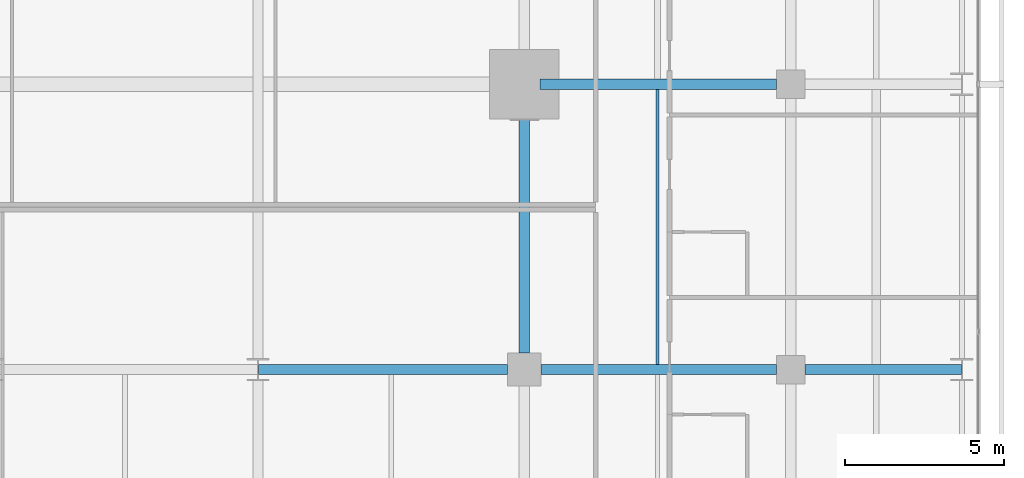
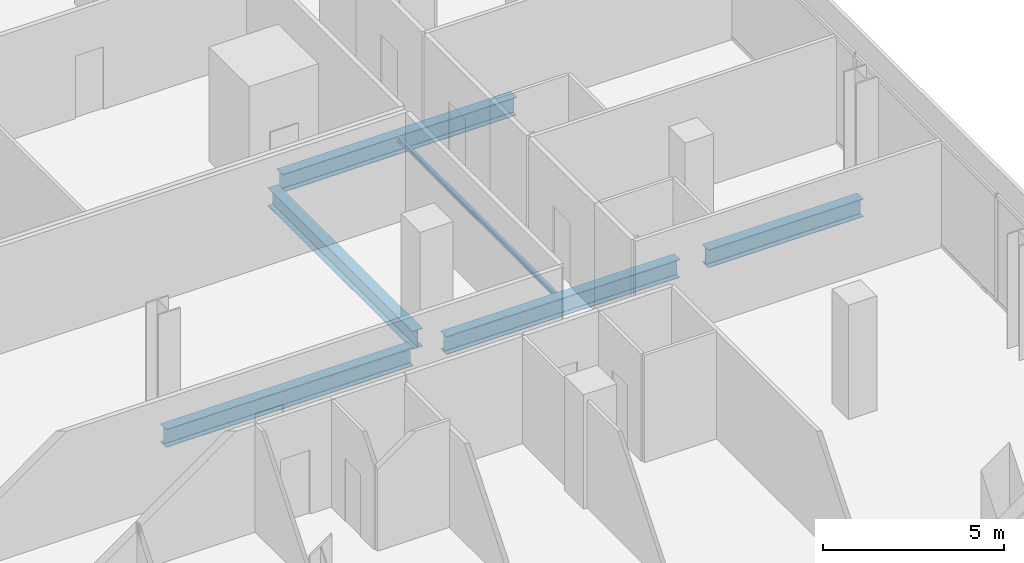
# One storey, part 18 of 40: 6 beams.
"""IFC4 building model written with IfcOpenShell, lengths in metres."""

import ifcopenshell
import ifcopenshell.guid

model = None  # the IFC model being written
_history = None  # IfcOwnerHistory: only IFC2X3 demands one
_inside = {}  # id of a spatial element -> (the spatial element, [elements in it])
_under = {}  # id of a project, library or spatial element -> (it, [spatial elements below it])
_declared = {}  # id of a project -> (the project, [libraries it declares])
_typed = {}  # id of a type object -> (the type object, [elements of that type])
_made_of = {}  # id of a material, layer set ... -> (it, [elements and type objects made of it])


def new_model(schema):
    """Start an empty IFC model of exactly this schema.

    Asked for "IFC4X3", IfcOpenShell would pick the latest addendum, in which some entities
    have other attributes; the version numbers below select the first issue.
    IFC2X3 requires an IfcOwnerHistory on every rooted entity: one is made here for all.
    """
    global model, _history
    if schema == "IFC4X3":
        model = ifcopenshell.file(schema_version=(4, 3, 0, 0))
    else:
        model = ifcopenshell.file(schema=schema)
    _inside.clear()
    _under.clear()
    _declared.clear()
    _typed.clear()
    _made_of.clear()
    _history = None
    if model.schema == "IFC2X3":
        org = make("IfcOrganization", Name="unknown")
        user = make(
            "IfcPersonAndOrganization",
            ThePerson=make("IfcPerson", FamilyName="unknown"),
            TheOrganization=org,
        )
        app = make(
            "IfcApplication",
            ApplicationDeveloper=org,
            Version="unknown",
            ApplicationFullName="unknown",
            ApplicationIdentifier="unknown",
        )
        _history = make(
            "IfcOwnerHistory",
            OwningUser=user,
            OwningApplication=app,
            ChangeAction="ADDED",
            CreationDate=0,
        )
    return model


def make(cls, **values):
    """One entity of the class cls with the attributes given. An attribute that is None is left unset."""
    return model.create_entity(
        cls, **{name: value for name, value in values.items() if value is not None}
    )


def rooted(cls, **values):
    """An entity with a GlobalId (a new one), such as an element, a storey or a relation."""
    return make(cls, GlobalId=ifcopenshell.guid.new(), OwnerHistory=_history, **values)


def si_unit(unit_type, name, prefix=None):
    """IfcSIUnit, for example si_unit("LENGTHUNIT", "METRE", prefix="MILLI")."""
    return make("IfcSIUnit", UnitType=unit_type, Prefix=prefix, Name=name)


def assignment(units):
    """IfcUnitAssignment: the units of a project."""
    return None if units is None else make("IfcUnitAssignment", Units=units)


def point(xyz):
    """IfcCartesianPoint."""
    return None if xyz is None else make("IfcCartesianPoint", Coordinates=xyz)


def direction(xyz):
    """IfcDirection."""
    return None if xyz is None else make("IfcDirection", DirectionRatios=xyz)


def frame(location, z_axis=None, x_axis=None):
    """IfcAxis2Placement3D, a coordinate frame: its origin and axes. An axis left out is left unset."""
    return make(
        "IfcAxis2Placement3D",
        Location=point(location),
        Axis=direction(z_axis),
        RefDirection=direction(x_axis),
    )


def frame_2d(location, x_axis=None):
    """IfcAxis2Placement2D, a coordinate frame in the plane: its origin and x axis."""
    return make(
        "IfcAxis2Placement2D", Location=point(location), RefDirection=direction(x_axis)
    )


def origin():
    """The frame at (0, 0, 0) with its axes left unset."""
    return frame((0.0, 0.0, 0.0))


def origin_2d():
    """The frame at (0, 0) in the plane with its x axis left unset."""
    return frame_2d((0.0, 0.0))


def place(relative_to, where):
    """IfcLocalPlacement: puts the frame where relative to a parent placement (None: the world)."""
    return make(
        "IfcLocalPlacement", PlacementRelTo=relative_to, RelativePlacement=where
    )


def context(
    kind, dimensions, precision=None, world=None, true_north=None, identifier=None
):
    """IfcGeometricRepresentationContext, for example the 3D "Model" context."""
    return make(
        "IfcGeometricRepresentationContext",
        ContextIdentifier=identifier,
        ContextType=kind,
        CoordinateSpaceDimension=dimensions,
        Precision=precision,
        WorldCoordinateSystem=world,
        TrueNorth=true_north,
    )


def subcontext(parent, identifier, kind, view, scale=None):
    """IfcGeometricRepresentationSubContext, for example "Body" below "Model"."""
    return make(
        "IfcGeometricRepresentationSubContext",
        ContextIdentifier=identifier,
        ContextType=kind,
        ParentContext=parent,
        TargetScale=scale,
        TargetView=view,
    )


def project(units=None, contexts=None):
    """IfcProject with its units and contexts."""
    return rooted(
        "IfcProject",
        Name="project",
        RepresentationContexts=contexts,
        UnitsInContext=assignment(units),
    )


def spatial(cls, under=None, at=None, **own):
    """A site, building, storey or space (cls), placed at a placement, below another one or the project."""
    s = rooted(cls, ObjectPlacement=at, **own)
    if under is not None:
        _under.setdefault(under.id(), (under, []))[1].append(s)
    return s


def profile(cls, at=None, kind="AREA", **sizes):
    """A parametric profile (cls). Its sizes go by their IFC names, for example OverallWidth=200.0."""
    return make(cls, ProfileType=kind, Position=at, **sizes)


def i_section(**sizes):
    """IfcIShapeProfileDef."""
    return profile("IfcIShapeProfileDef", **sizes)


def extrude(swept, where, along, depth):
    """IfcExtrudedAreaSolid: the profile swept, set in the frame where, extruded along a direction by depth."""
    return make(
        "IfcExtrudedAreaSolid",
        SweptArea=swept,
        Position=where,
        ExtrudedDirection=direction(along),
        Depth=depth,
    )


def shape(context_of_items, identifier, shape_type, items):
    """IfcShapeRepresentation: the items that make up one representation, for example the "Body"."""
    return make(
        "IfcShapeRepresentation",
        ContextOfItems=context_of_items,
        RepresentationIdentifier=identifier,
        RepresentationType=shape_type,
        Items=items,
    )


def material(Name=None, Category=None):
    """IfcMaterial."""
    return make("IfcMaterial", Name=Name, Category=Category)


def material_profile(
    of_material, cross_section, Name=None, Category=None, Priority=None
):
    """IfcMaterialProfile: a cross section and its material."""
    return make(
        "IfcMaterialProfile",
        Name=Name,
        Material=of_material,
        Profile=cross_section,
        Priority=Priority,
        Category=Category,
    )


def profile_set(profiles, Name=None, composite=None):
    """IfcMaterialProfileSet."""
    return make(
        "IfcMaterialProfileSet",
        Name=Name,
        MaterialProfiles=profiles,
        CompositeProfile=composite,
    )


def made_of(thing, what):
    """Note that an element or type object is made of a material, layer set ...; save() writes the relation."""
    if what is not None:
        _made_of.setdefault(what.id(), (what, []))[1].append(thing)
    return thing


def type_object(cls, material=None, **own):
    """A type object (cls), such as IfcWallType, which elements share."""
    return made_of(rooted(cls, **own), material)


def element(
    cls,
    number,
    at=None,
    inside=None,
    cuts=None,
    type_object=None,
    material=None,
    context=None,
    identifier="Body",
    shape_type=None,
    held_by="IfcProductDefinitionShape",
    body=None,
    shapes=None,
    **own,
):
    """One element of the class cls, such as IfcWall. Its Tag is "e" and its number.

    at: its placement. inside: the storey or other place that contains it. cuts: it is an
    opening in that element (IfcRelVoidsElement). A single representation is given by context,
    identifier, shape_type and body (its items); several are given by shapes. held_by: the class
    of the entity that holds the representations. save() writes the other relations.
    """
    e = rooted(cls, Tag="e%d" % number, ObjectPlacement=at, **own)
    if body is not None:
        shapes = [shape(context, identifier, shape_type, body)]
    if shapes is not None:
        e.Representation = make(held_by, Representations=shapes)
    if inside is not None:
        _inside.setdefault(inside.id(), (inside, []))[1].append(e)
    if cuts is not None:
        rooted(
            "IfcRelVoidsElement", RelatingBuildingElement=cuts, RelatedOpeningElement=e
        )
    if type_object is not None:
        _typed.setdefault(type_object.id(), (type_object, []))[1].append(e)
    return made_of(e, material)


def aggregate(whole, parts):
    """IfcRelAggregates: a whole, such as a stair, and the parts it consists of."""
    return rooted("IfcRelAggregates", RelatingObject=whole, RelatedObjects=parts)


def save(model, path):
    """Write the relations noted so far, then the file.

    IfcRelAggregates (storeys below a building ...), IfcRelContainedInSpatialStructure (elements
    in a storey), IfcRelDefinesByType, IfcRelAssociatesMaterial and IfcRelDeclares: one each for
    every whole, place, type object, material and project.
    """
    for whole, parts in _under.values():
        aggregate(whole, parts)
    for where, things in _inside.values():
        rooted(
            "IfcRelContainedInSpatialStructure",
            RelatedElements=things,
            RelatingStructure=where,
        )
    for kind, things in _typed.values():
        rooted("IfcRelDefinesByType", RelatedObjects=things, RelatingType=kind)
    for what, things in _made_of.values():
        rooted("IfcRelAssociatesMaterial", RelatedObjects=things, RelatingMaterial=what)
    for by, libraries in _declared.values():
        rooted("IfcRelDeclares", RelatingContext=by, RelatedDefinitions=libraries)
    model.write(path)


model = new_model("IFC4")

# Units and contexts
model_context = context("Model", 3, precision=1e-05, world=origin(), true_north=direction((0.0, 1.0)))
body_context = subcontext(model_context, "Body", "Model", "MODEL_VIEW")
ifc_project = project(units=[si_unit("LENGTHUNIT", "METRE"), si_unit("AREAUNIT", "SQUARE_METRE"), si_unit("VOLUMEUNIT", "CUBIC_METRE"), si_unit("PLANEANGLEUNIT", "RADIAN"), si_unit("MASSUNIT", "GRAM", prefix="KILO")], contexts=[model_context])

# Site, building, storey
site_placement = place(None, origin())
site = spatial("IfcSite", under=ifc_project, at=site_placement, CompositionType="ELEMENT")
building_placement = place(site_placement, origin())
building = spatial("IfcBuilding", under=site, at=building_placement, Name="Maruvema Waterfront Hotel and Observation Tower", CompositionType="ELEMENT")
storey_placement = place(building_placement, frame((0.0, 0.0, 88.550048828125)))
storey = spatial("IfcBuildingStorey", under=building, at=storey_placement, Name="L21", CompositionType="ELEMENT", Elevation=88.550048828125)

# Beams
ifc_material_1 = material(Name="Steel ASTM A572 Grade 50", Category="steel")
ifc_material_profile_1 = material_profile(ifc_material_1, i_section(OverallWidth=0.323974609375, OverallDepth=0.611083984375, WebThickness=0.0126953125, FlangeThickness=0.01904296875, FilletRadius=0.01806640625, at=origin_2d()), Name="W610x155.0")
ifc_profile_set_1 = profile_set([ifc_material_profile_1], Name="Steel ASTM A572 Grade 50")
beam_type_1 = type_object("IfcBeamType", Name="Primary Floor Girder W610x155.0", PredefinedType="BEAM", material=ifc_profile_set_1)
beam_1_placement = place(storey_placement, frame((42.013916015625, 18.0, -0.545654296875), z_axis=(1.0, 0.0, 0.0), x_axis=(0.0, 1.0, 0.0)))
element("IfcBeam", 1, at=beam_1_placement, inside=storey, type_object=beam_type_1, Name="L21 Floor Girder EW-17", PredefinedType="BEAM", context=body_context, shape_type="SweptSolid", body=[
    extrude(i_section(OverallWidth=0.323974609375, OverallDepth=0.611083984375, WebThickness=0.0126953125, FlangeThickness=0.01904296875, FilletRadius=0.01806640625, at=origin_2d()), origin(), (0.0, 0.0, 1.0), 7.861083984375),
])
beam_2_placement = place(storey_placement, frame((50.925048828125, 18.0, -0.545654296875), z_axis=(1.0, 0.0, 0.0), x_axis=(0.0, 1.0, 0.0)))
element("IfcBeam", 2, at=beam_2_placement, inside=storey, type_object=beam_type_1, Name="L21 Floor Girder EW-18", PredefinedType="BEAM", context=body_context, shape_type="SweptSolid", body=[
    extrude(i_section(OverallWidth=0.323974609375, OverallDepth=0.611083984375, WebThickness=0.0126953125, FlangeThickness=0.01904296875, FilletRadius=0.01806640625, at=origin_2d()), origin(), (0.0, 0.0, 1.0), 7.425048828125),
])
beam_3_placement = place(storey_placement, frame((59.25, 18.0, -0.545654296875), z_axis=(1.0, 0.0, 0.0), x_axis=(0.0, 1.0, 0.0)))
element("IfcBeam", 3, at=beam_3_placement, inside=storey, type_object=beam_type_1, Name="L21 Floor Girder EW-19", PredefinedType="BEAM", context=body_context, shape_type="SweptSolid", body=[
    extrude(i_section(OverallWidth=0.323974609375, OverallDepth=0.611083984375, WebThickness=0.0126953125, FlangeThickness=0.01904296875, FilletRadius=0.01806640625, at=origin_2d()), origin(), (0.0, 0.0, 1.0), 4.93603515625),
])
beam_4_placement = place(storey_placement, frame((50.89990234375, 27.0, -0.545654296875), z_axis=(1.0, 0.0, 0.0), x_axis=(0.0, 1.0, 0.0)))
element("IfcBeam", 4, at=beam_4_placement, inside=storey, type_object=beam_type_1, Name="L21 Floor Girder EW-23", PredefinedType="BEAM", context=body_context, shape_type="SweptSolid", body=[
    extrude(i_section(OverallWidth=0.323974609375, OverallDepth=0.611083984375, WebThickness=0.0126953125, FlangeThickness=0.01904296875, FilletRadius=0.01806640625, at=origin_2d()), origin(), (0.0, 0.0, 1.0), 7.4501953125),
])
beam_5_placement = place(storey_placement, frame((50.39990234375, 18.52490234375, -0.545654296875), z_axis=(0.0, 1.0, 0.0), x_axis=(-1.0, 0.0, 0.0)))
element("IfcBeam", 5, at=beam_5_placement, inside=storey, type_object=beam_type_1, Name="L21 Floor Girder NS-24", PredefinedType="BEAM", context=body_context, shape_type="SweptSolid", body=[
    extrude(i_section(OverallWidth=0.323974609375, OverallDepth=0.611083984375, WebThickness=0.0126953125, FlangeThickness=0.01904296875, FilletRadius=0.01806640625, at=origin_2d()), origin(), (0.0, 0.0, 1.0), 7.97509765625),
])
ifc_material_2 = material(Name="Steel ASTM A572 Grade 50", Category="steel")
ifc_material_profile_2 = material_profile(ifc_material_2, i_section(OverallWidth=0.10009765625, OverallDepth=0.153076171875, WebThickness=0.005859375, FlangeThickness=0.007080078125, FilletRadius=0.008056640625, at=origin_2d()), Name="W150x18.0")
ifc_profile_set_2 = profile_set([ifc_material_profile_2], Name="Steel ASTM A572 Grade 50")
beam_type_2 = type_object("IfcBeamType", Name="Secondary Floor Joist W150x18.0", PredefinedType="JOIST", material=ifc_profile_set_2)
beam_6_placement = place(storey_placement, frame((54.60009765625, 18.162109375, -0.316650390625), z_axis=(0.0, 1.0, 0.0), x_axis=(-1.0, 0.0, 0.0)))
element("IfcBeam", 6, at=beam_6_placement, inside=storey, type_object=beam_type_2, Name="L21 Secondary Floor Joist JS-18", PredefinedType="JOIST", context=body_context, shape_type="SweptSolid", body=[
    extrude(i_section(OverallWidth=0.10009765625, OverallDepth=0.153076171875, WebThickness=0.005859375, FlangeThickness=0.007080078125, FilletRadius=0.008056640625, at=origin_2d()), origin(), (0.0, 0.0, 1.0), 8.67578125),
])

save(model, "model.ifc")
